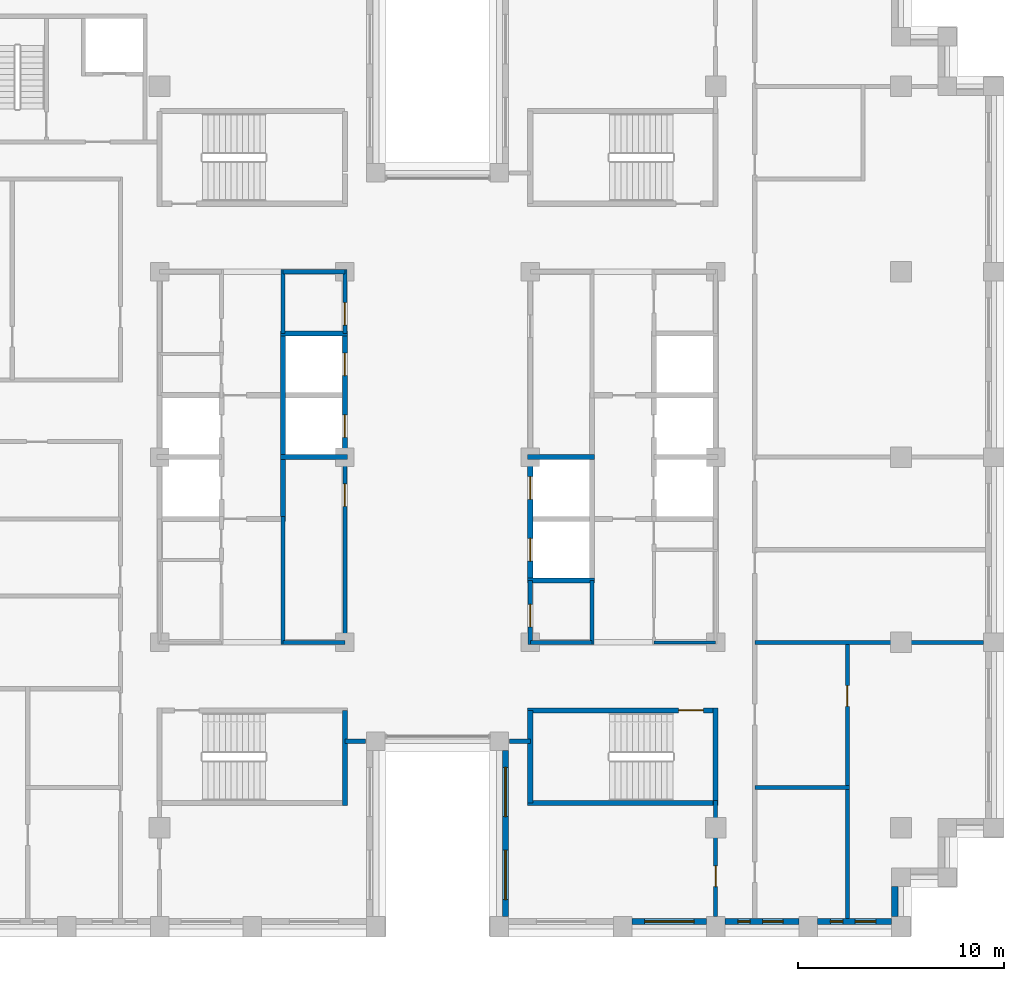
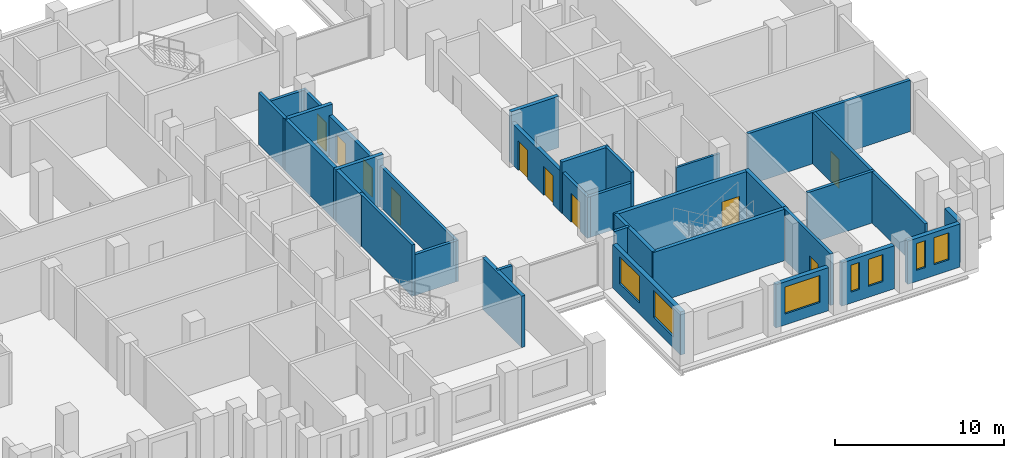
# One storey, part 8 of 15: 33 walls, 10 doors, 7 windows, 17 openings.
"""IFC4 building model written with IfcOpenShell, lengths in metres."""

from ifc_helpers import new_model, si_unit, direction, frame, frame_2d, origin, place, context, subcontext, project, spatial, rectangle, extrude, material, layer, layer_set, type_object, element, fill, save


model = new_model("IFC4")

# Units and contexts
model_context = context("Model", 3, precision=1e-05, world=origin(), true_north=direction((0.0, 1.0)))
body_context = subcontext(model_context, "Body", "Model", "MODEL_VIEW")
ifc_project = project(units=[si_unit("LENGTHUNIT", "METRE"), si_unit("AREAUNIT", "SQUARE_METRE"), si_unit("VOLUMEUNIT", "CUBIC_METRE"), si_unit("PLANEANGLEUNIT", "RADIAN"), si_unit("MASSUNIT", "GRAM", prefix="KILO")], contexts=[model_context])

# Site, building, storey
site_placement = place(None, origin())
site = spatial("IfcSite", under=ifc_project, at=site_placement, CompositionType="ELEMENT")
building_placement = place(site_placement, origin())
building = spatial("IfcBuilding", under=site, at=building_placement, Name="Corbelhall Arena Tower", CompositionType="ELEMENT")
storey_placement = place(building_placement, frame((0.0, 0.0, 216.0)))
storey = spatial("IfcBuildingStorey", under=building, at=storey_placement, Name="L45", CompositionType="ELEMENT", Elevation=216.0)

# Wall, openings, windows
ifc_material_1 = material(Name="Precast concrete C40/50 with granite facing", Category="masonry")
ifc_layer_1 = layer(ifc_material_1, 0.300048828125)
ifc_layer_set_1 = layer_set([ifc_layer_1], Name="EV-IW1 Infill panel 300")
wall_type_1 = type_object("IfcWallType", Name="EV-IW1 Infill panel 300", PredefinedType="SOLIDWALL", material=ifc_layer_set_1)
wall_1_placement = place(storey_placement, frame((3.300048828125, -14.25, 0.0), z_axis=(0.0, 0.0, 1.0), x_axis=(0.0, -1.0, 0.0)))
wall_1 = element("IfcWall", 1, at=wall_1_placement, inside=storey, type_object=wall_type_1, Name="Infill panel IW1", PredefinedType="SOLIDWALL", context=body_context, shape_type="SweptSolid", body=[
    extrude(rectangle(XDim=8.050048828125, YDim=0.300048828125, at=frame_2d((4.02490234375, 0.0))), origin(), (0.0, 0.0, 1.0), 3.1201171875),
])
opening_1_placement = place(wall_1_placement, frame((0.8125, 0.0, 0.800048828125)))
opening_1 = element("IfcOpeningElement", 2, at=opening_1_placement, cuts=wall_1, Name="Opening WN1", PredefinedType="OPENING", context=body_context, shape_type="SweptSolid", body=[
    extrude(rectangle(XDim=2.39990234375, YDim=1.949951171875, at=frame_2d((1.199951171875, 0.97509765625))), frame((0.0, 0.14990234375, 0.0), z_axis=(0.0, -1.0, 0.0), x_axis=(1.0, 0.0, 0.0)), (0.0, 0.0, 1.0), 0.300048828125),
])
opening_2_placement = place(wall_1_placement, frame((4.83740234375, 0.0, 0.800048828125)))
opening_2 = element("IfcOpeningElement", 3, at=opening_2_placement, cuts=wall_1, Name="Opening WN1", PredefinedType="OPENING", context=body_context, shape_type="SweptSolid", body=[
    extrude(rectangle(XDim=2.39990234375, YDim=1.949951171875, at=frame_2d((1.199951171875, 0.97509765625))), frame((0.0, 0.14990234375, 0.0), z_axis=(0.0, -1.0, 0.0), x_axis=(1.0, 0.0, 0.0)), (0.0, 0.0, 1.0), 0.300048828125),
])
ifc_material_2 = material(Name="Aluminium black anodised", Category="aluminium")
window_type_1 = type_object("IfcWindowType", Name="EV-WN1 Office window", PartitioningType="SINGLE_PANEL", PredefinedType="WINDOW", material=ifc_material_2)
window_1_placement = place(opening_1_placement, origin())
window_1 = element("IfcWindow", 4, at=window_1_placement, inside=storey, type_object=window_type_1, Name="Window WN1", OverallHeight=1.949951171875, OverallWidth=2.39990234375, PartitioningType="SINGLE_PANEL", PredefinedType="WINDOW", context=body_context, shape_type="SweptSolid", body=[
    extrude(rectangle(XDim=2.39990234375, YDim=1.949951171875, at=frame_2d((1.199951171875, 0.97509765625))), frame((0.0, 0.030029296875, 0.0), z_axis=(0.0, -1.0, 0.0), x_axis=(1.0, 0.0, 0.0)), (0.0, 0.0, 1.0), 0.06005859375),
])
fill(opening_1, window_1)
window_2_placement = place(opening_2_placement, origin())
window_2 = element("IfcWindow", 5, at=window_2_placement, inside=storey, type_object=window_type_1, Name="Window WN1", OverallHeight=1.949951171875, OverallWidth=2.39990234375, PartitioningType="SINGLE_PANEL", PredefinedType="WINDOW", context=body_context, shape_type="SweptSolid", body=[
    extrude(rectangle(XDim=2.39990234375, YDim=1.949951171875, at=frame_2d((1.199951171875, 0.97509765625))), frame((0.0, 0.030029296875, 0.0), z_axis=(0.0, -1.0, 0.0), x_axis=(1.0, 0.0, 0.0)), (0.0, 0.0, 1.0), 0.06005859375),
])
fill(opening_2, window_2)

# Wall, opening, window
wall_2_placement = place(storey_placement, frame((9.449951171875, -22.550048828125, 0.0), z_axis=(0.0, 0.0, 1.0), x_axis=(1.0, 0.0, 0.0)))
wall_2 = element("IfcWall", 6, at=wall_2_placement, inside=storey, type_object=wall_type_1, Name="Infill panel IW1", PredefinedType="SOLIDWALL", context=body_context, shape_type="SweptSolid", body=[
    extrude(rectangle(XDim=3.60009765625, YDim=0.300048828125, at=frame_2d((1.800048828125, 0.0))), origin(), (0.0, 0.0, 1.0), 3.1201171875),
])
opening_3_placement = place(wall_2_placement, frame((0.60009765625, 0.0, 0.800048828125)))
opening_3 = element("IfcOpeningElement", 7, at=opening_3_placement, cuts=wall_2, Name="Opening WN1", PredefinedType="OPENING", context=body_context, shape_type="SweptSolid", body=[
    extrude(rectangle(XDim=2.39990234375, YDim=1.949951171875, at=frame_2d((1.199951171875, 0.97509765625))), frame((0.0, 0.14990234375, 0.0), z_axis=(0.0, -1.0, 0.0), x_axis=(1.0, 0.0, 0.0)), (0.0, 0.0, 1.0), 0.300048828125),
])
window_3_placement = place(opening_3_placement, origin())
window_3 = element("IfcWindow", 8, at=window_3_placement, inside=storey, type_object=window_type_1, Name="Window WN1", OverallHeight=1.949951171875, OverallWidth=2.39990234375, PartitioningType="SINGLE_PANEL", PredefinedType="WINDOW", context=body_context, shape_type="SweptSolid", body=[
    extrude(rectangle(XDim=2.39990234375, YDim=1.949951171875, at=frame_2d((1.199951171875, 0.97509765625))), frame((0.0, 0.030029296875, 0.0), z_axis=(0.0, -1.0, 0.0), x_axis=(1.0, 0.0, 0.0)), (0.0, 0.0, 1.0), 0.06005859375),
])
fill(opening_3, window_3)

# Wall, openings, windows
wall_3_placement = place(storey_placement, frame((13.949951171875, -22.550048828125, 0.0), z_axis=(0.0, 0.0, 1.0), x_axis=(1.0, 0.0, 0.0)))
wall_3 = element("IfcWall", 9, at=wall_3_placement, inside=storey, type_object=wall_type_1, Name="Infill panel IW1", PredefinedType="SOLIDWALL", context=body_context, shape_type="SweptSolid", body=[
    extrude(rectangle(XDim=3.60009765625, YDim=0.300048828125, at=frame_2d((1.800048828125, 0.0))), origin(), (0.0, 0.0, 1.0), 3.1201171875),
])
opening_4_placement = place(wall_3_placement, frame((0.625, 0.0, 0.800048828125)))
opening_4 = element("IfcOpeningElement", 10, at=opening_4_placement, cuts=wall_3, Name="Opening WN5", PredefinedType="OPENING", context=body_context, shape_type="SweptSolid", body=[
    extrude(rectangle(XDim=0.60009765625, YDim=1.949951171875, at=frame_2d((0.300048828125, 0.97509765625))), frame((0.0, 0.14990234375, 0.0), z_axis=(0.0, -1.0, 0.0), x_axis=(1.0, 0.0, 0.0)), (0.0, 0.0, 1.0), 0.300048828125),
])
opening_5_placement = place(wall_3_placement, frame((1.824951171875, 0.0, 0.800048828125)))
opening_5 = element("IfcOpeningElement", 11, at=opening_5_placement, cuts=wall_3, Name="Opening WN6", PredefinedType="OPENING", context=body_context, shape_type="SweptSolid", body=[
    extrude(rectangle(XDim=1.0, YDim=1.949951171875, at=frame_2d((0.5, 0.97509765625))), frame((0.0, 0.14990234375, 0.0), z_axis=(0.0, -1.0, 0.0), x_axis=(1.0, 0.0, 0.0)), (0.0, 0.0, 1.0), 0.300048828125),
])
window_type_2 = type_object("IfcWindowType", Name="EV-WN5 Office window 600", PartitioningType="SINGLE_PANEL", PredefinedType="WINDOW", material=ifc_material_2)
window_4_placement = place(opening_4_placement, origin())
window_4 = element("IfcWindow", 12, at=window_4_placement, inside=storey, type_object=window_type_2, Name="Window WN5", OverallHeight=1.949951171875, OverallWidth=0.60009765625, PartitioningType="SINGLE_PANEL", PredefinedType="WINDOW", context=body_context, shape_type="SweptSolid", body=[
    extrude(rectangle(XDim=0.60009765625, YDim=1.949951171875, at=frame_2d((0.300048828125, 0.97509765625))), frame((0.0, 0.030029296875, 0.0), z_axis=(0.0, -1.0, 0.0), x_axis=(1.0, 0.0, 0.0)), (0.0, 0.0, 1.0), 0.06005859375),
])
fill(opening_4, window_4)
window_type_3 = type_object("IfcWindowType", Name="EV-WN6 Office window 1000", PartitioningType="SINGLE_PANEL", PredefinedType="WINDOW", material=ifc_material_2)
window_5_placement = place(opening_5_placement, origin())
window_5 = element("IfcWindow", 13, at=window_5_placement, inside=storey, type_object=window_type_3, Name="Window WN6", OverallHeight=1.949951171875, OverallWidth=1.0, PartitioningType="SINGLE_PANEL", PredefinedType="WINDOW", context=body_context, shape_type="SweptSolid", body=[
    extrude(rectangle(XDim=1.0, YDim=1.949951171875, at=frame_2d((0.5, 0.97509765625))), frame((0.0, 0.030029296875, 0.0), z_axis=(0.0, -1.0, 0.0), x_axis=(1.0, 0.0, 0.0)), (0.0, 0.0, 1.0), 0.06005859375),
])
fill(opening_5, window_5)

wall_4_placement = place(storey_placement, frame((18.449951171875, -22.550048828125, 0.0), z_axis=(0.0, 0.0, 1.0), x_axis=(1.0, 0.0, 0.0)))
wall_4 = element("IfcWall", 14, at=wall_4_placement, inside=storey, type_object=wall_type_1, Name="Infill panel IW1", PredefinedType="SOLIDWALL", context=body_context, shape_type="SweptSolid", body=[
    extrude(rectangle(XDim=3.60009765625, YDim=0.300048828125, at=frame_2d((1.800048828125, 0.0))), origin(), (0.0, 0.0, 1.0), 3.1201171875),
])
opening_6_placement = place(wall_4_placement, frame((0.625, 0.0, 0.800048828125)))
opening_6 = element("IfcOpeningElement", 15, at=opening_6_placement, cuts=wall_4, Name="Opening WN5", PredefinedType="OPENING", context=body_context, shape_type="SweptSolid", body=[
    extrude(rectangle(XDim=0.60009765625, YDim=1.949951171875, at=frame_2d((0.300048828125, 0.97509765625))), frame((0.0, 0.14990234375, 0.0), z_axis=(0.0, -1.0, 0.0), x_axis=(1.0, 0.0, 0.0)), (0.0, 0.0, 1.0), 0.300048828125),
])
opening_7_placement = place(wall_4_placement, frame((1.824951171875, 0.0, 0.800048828125)))
opening_7 = element("IfcOpeningElement", 16, at=opening_7_placement, cuts=wall_4, Name="Opening WN6", PredefinedType="OPENING", context=body_context, shape_type="SweptSolid", body=[
    extrude(rectangle(XDim=1.0, YDim=1.949951171875, at=frame_2d((0.5, 0.97509765625))), frame((0.0, 0.14990234375, 0.0), z_axis=(0.0, -1.0, 0.0), x_axis=(1.0, 0.0, 0.0)), (0.0, 0.0, 1.0), 0.300048828125),
])
window_6_placement = place(opening_6_placement, origin())
window_6 = element("IfcWindow", 17, at=window_6_placement, inside=storey, type_object=window_type_2, Name="Window WN5", OverallHeight=1.949951171875, OverallWidth=0.60009765625, PartitioningType="SINGLE_PANEL", PredefinedType="WINDOW", context=body_context, shape_type="SweptSolid", body=[
    extrude(rectangle(XDim=0.60009765625, YDim=1.949951171875, at=frame_2d((0.300048828125, 0.97509765625))), frame((0.0, 0.030029296875, 0.0), z_axis=(0.0, -1.0, 0.0), x_axis=(1.0, 0.0, 0.0)), (0.0, 0.0, 1.0), 0.06005859375),
])
fill(opening_6, window_6)
window_7_placement = place(opening_7_placement, origin())
window_7 = element("IfcWindow", 18, at=window_7_placement, inside=storey, type_object=window_type_3, Name="Window WN6", OverallHeight=1.949951171875, OverallWidth=1.0, PartitioningType="SINGLE_PANEL", PredefinedType="WINDOW", context=body_context, shape_type="SweptSolid", body=[
    extrude(rectangle(XDim=1.0, YDim=1.949951171875, at=frame_2d((0.5, 0.97509765625))), frame((0.0, 0.030029296875, 0.0), z_axis=(0.0, -1.0, 0.0), x_axis=(1.0, 0.0, 0.0)), (0.0, 0.0, 1.0), 0.06005859375),
])
fill(opening_7, window_7)

# Walls
wall_5_placement = place(storey_placement, frame((22.199951171875, -22.300048828125, 0.0), z_axis=(0.0, 0.0, 1.0), x_axis=(0.0, 1.0, 0.0)))
element("IfcWall", 19, at=wall_5_placement, inside=storey, type_object=wall_type_1, Name="Infill panel IW1", PredefinedType="SOLIDWALL", context=body_context, shape_type="SweptSolid", body=[
    extrude(rectangle(XDim=1.449951171875, YDim=0.300048828125, at=frame_2d((0.72509765625, 0.0))), origin(), (0.0, 0.0, 1.0), 3.1201171875),
])
ifc_material_3 = material(Name="Gypsum board on steel stud, acoustic", Category="steel")
ifc_layer_2 = layer(ifc_material_3, 0.199951171875)
ifc_layer_set_2 = layer_set([ifc_layer_2], Name="IN-W-DM200")
wall_type_2 = type_object("IfcWallType", Name="IN-W-DM200", PredefinedType="PARTITIONING", material=ifc_layer_set_2)
for number, where, z_axis, x_axis, name in (
    (20, (-3.5, -13.800048828125, 0.0), (0.0, 0.0, 1.0), (-1.0, 0.0, 0.0), "Partition 020"),
    (21, (4.5, -13.800048828125, 0.0), (0.0, 0.0, 1.0), (-1.0, 0.0, 0.0), "Partition 022"),
):
    element("IfcWall", number, at=place(storey_placement, frame(where, z_axis=z_axis, x_axis=x_axis)), inside=storey, type_object=wall_type_2, Name=name, PredefinedType="PARTITIONING", context=body_context, shape_type="SweptSolid", body=[
        extrude(rectangle(XDim=1.0, YDim=0.199951171875, at=frame_2d((0.5, 0.0))), origin(), (0.0, 0.0, 1.0), 3.719970703125),
    ])

# Wall, opening, door
wall_6_placement = place(storey_placement, frame((13.5, -22.300048828125, 0.0), z_axis=(0.0, 0.0, 1.0), x_axis=(0.0, 1.0, 0.0)))
wall_6 = element("IfcWall", 22, at=wall_6_placement, inside=storey, type_object=wall_type_2, Name="Partition 023", PredefinedType="PARTITIONING", context=body_context, shape_type="SweptSolid", body=[
    extrude(rectangle(XDim=5.625, YDim=0.199951171875, at=frame_2d((2.8125, 0.0))), origin(), (0.0, 0.0, 1.0), 3.719970703125),
])
opening_8_placement = place(wall_6_placement, frame((1.449951171875, 0.0, 0.0)))
opening_8 = element("IfcOpeningElement", 23, at=opening_8_placement, cuts=wall_6, Name="Opening 13023", PredefinedType="OPENING", context=body_context, shape_type="SweptSolid", body=[
    extrude(rectangle(XDim=1.0, YDim=2.10009765625, at=frame_2d((0.5, 1.050048828125))), frame((0.0, 0.10009765625, 0.0), z_axis=(0.0, -1.0, 0.0), x_axis=(1.0, 0.0, 0.0)), (0.0, 0.0, 1.0), 0.199951171875),
])
ifc_material_4 = material(Name="Steel door set", Category="steel")
door_type_1 = type_object("IfcDoorType", Name="IN-D-SW100", OperationType="NOTDEFINED", PredefinedType="DOOR", material=ifc_material_4)
door_1_placement = place(opening_8_placement, origin())
door_1 = element("IfcDoor", 24, at=door_1_placement, inside=storey, type_object=door_type_1, Name="Door 023", OperationType="SINGLE_SWING_RIGHT", OverallHeight=2.10009765625, OverallWidth=1.0, PredefinedType="DOOR", context=body_context, shape_type="SweptSolid", body=[
    extrude(rectangle(XDim=1.0, YDim=2.10009765625, at=frame_2d((0.5, 1.050048828125))), frame((0.0, 0.02490234375, 0.0), z_axis=(0.0, -1.0, 0.0), x_axis=(1.0, 0.0, 0.0)), (0.0, 0.0, 1.0), 0.050048828125),
])
fill(opening_8, door_1)

# Walls
wall_7_placement = place(storey_placement, frame((15.39990234375, -16.050048828125, 0.0), z_axis=(0.0, 0.0, 1.0), x_axis=(1.0, 0.0, 0.0)))
element("IfcWall", 25, at=wall_7_placement, inside=storey, type_object=wall_type_2, Name="Partition 025", PredefinedType="PARTITIONING", context=body_context, shape_type="SweptSolid", body=[
    extrude(rectangle(XDim=4.60009765625, YDim=0.199951171875, at=frame_2d((2.300048828125, 0.0))), origin(), (0.0, 0.0, 1.0), 3.719970703125),
])
wall_8_placement = place(storey_placement, frame((15.39990234375, -9.0, 0.0), z_axis=(0.0, 0.0, 1.0), x_axis=(1.0, 0.0, 0.0)))
element("IfcWall", 26, at=wall_8_placement, inside=storey, type_object=wall_type_2, Name="Partition 027", PredefinedType="PARTITIONING", context=body_context, shape_type="SweptSolid", body=[
    extrude(rectangle(XDim=11.10009765625, YDim=0.199951171875, at=frame_2d((5.550048828125, 0.0))), origin(), (0.0, 0.0, 1.0), 3.719970703125),
])

# Wall, opening, door
wall_9_placement = place(storey_placement, frame((19.89990234375, -8.89990234375, 0.0), z_axis=(0.0, 0.0, 1.0), x_axis=(0.0, -1.0, 0.0)))
wall_9 = element("IfcWall", 27, at=wall_9_placement, inside=storey, type_object=wall_type_2, Name="Partition 031", PredefinedType="PARTITIONING", context=body_context, shape_type="SweptSolid", body=[
    extrude(rectangle(XDim=13.5, YDim=0.199951171875, at=frame_2d((6.75, 0.0))), origin(), (0.0, 0.0, 1.0), 3.719970703125),
])
opening_9_placement = place(wall_9_placement, frame((2.199951171875, 0.0, 0.0)))
opening_9 = element("IfcOpeningElement", 28, at=opening_9_placement, cuts=wall_9, Name="Opening 13037", PredefinedType="OPENING", context=body_context, shape_type="SweptSolid", body=[
    extrude(rectangle(XDim=1.0, YDim=2.10009765625, at=frame_2d((0.5, 1.050048828125))), frame((0.0, 0.10009765625, 0.0), z_axis=(0.0, -1.0, 0.0), x_axis=(1.0, 0.0, 0.0)), (0.0, 0.0, 1.0), 0.199951171875),
])
door_2_placement = place(opening_9_placement, origin())
door_2 = element("IfcDoor", 29, at=door_2_placement, inside=storey, type_object=door_type_1, Name="Door 037", OperationType="SINGLE_SWING_RIGHT", OverallHeight=2.10009765625, OverallWidth=1.0, PredefinedType="DOOR", context=body_context, shape_type="SweptSolid", body=[
    extrude(rectangle(XDim=1.0, YDim=2.10009765625, at=frame_2d((0.5, 1.050048828125))), frame((0.0, 0.02490234375, 0.0), z_axis=(0.0, -1.0, 0.0), x_axis=(1.0, 0.0, 0.0)), (0.0, 0.0, 1.0), 0.050048828125),
])
fill(opening_9, door_2)

# Walls
ifc_material_5 = material(Name="Concrete block wall", Category="concrete")
ifc_layer_3 = layer(ifc_material_5, 0.199951171875)
ifc_layer_set_3 = layer_set([ifc_layer_3], Name="IN-W-RS200")
wall_type_3 = type_object("IfcWallType", Name="IN-W-RS200", PredefinedType="SOLIDWALL", material=ifc_layer_set_3)
wall_10_placement = place(storey_placement, frame((-7.5, -9.10009765625, 0.0), z_axis=(0.0, 0.0, 1.0), x_axis=(0.0, 1.0, 0.0)))
element("IfcWall", 30, at=wall_10_placement, inside=storey, type_object=wall_type_3, Name="Partition 039", PredefinedType="SOLIDWALL", context=body_context, shape_type="SweptSolid", body=[
    extrude(rectangle(XDim=6.22509765625, YDim=0.199951171875, at=frame_2d((3.112548828125, 0.0))), origin(), (0.0, 0.0, 1.0), 3.719970703125),
])
for number, where, z_axis, x_axis, name in (
    (31, (-7.5, 6.0, 0.0), (0.0, 0.0, 1.0), (0.0, 1.0, 0.0), "Partition 040"),
    (32, (7.5, -6.0, 0.0), (0.0, 0.0, 1.0), (0.0, -1.0, 0.0), "Partition 049"),
):
    element("IfcWall", number, at=place(storey_placement, frame(where, z_axis=z_axis, x_axis=x_axis)), inside=storey, type_object=wall_type_3, Name=name, PredefinedType="SOLIDWALL", context=body_context, shape_type="SweptSolid", body=[
        extrude(rectangle(XDim=3.10009765625, YDim=0.199951171875, at=frame_2d((1.550048828125, 0.0))), origin(), (0.0, 0.0, 1.0), 3.719970703125),
    ])
ifc_layer_4 = layer(ifc_material_5, 0.199951171875)
ifc_layer_set_4 = layer_set([ifc_layer_4], Name="IN-W-RS200 under beam 762 mm")
wall_type_4 = type_object("IfcWallType", Name="IN-W-RS200 under beam 762 mm", PredefinedType="SOLIDWALL", material=ifc_layer_set_4)
for number, where, z_axis, x_axis, name in (
    (33, (-7.5, 9.0, 0.0), (0.0, 0.0, 1.0), (1.0, 0.0, 0.0), "Partition 041"),
    (34, (-4.5, -9.0, 0.0), (0.0, 0.0, 1.0), (-1.0, 0.0, 0.0), "Partition 042"),
):
    element("IfcWall", number, at=place(storey_placement, frame(where, z_axis=z_axis, x_axis=x_axis)), inside=storey, type_object=wall_type_4, Name=name, PredefinedType="SOLIDWALL", context=body_context, shape_type="SweptSolid", body=[
        extrude(rectangle(XDim=3.0, YDim=0.199951171875, at=frame_2d((1.5, 0.0))), origin(), (0.0, 0.0, 1.0), 2.9580078125),
    ])

# Wall, opening, door
wall_11_placement = place(storey_placement, frame((-4.5, 0.0, 0.0), z_axis=(0.0, 0.0, 1.0), x_axis=(0.0, -1.0, 0.0)))
wall_11 = element("IfcWall", 35, at=wall_11_placement, inside=storey, type_object=wall_type_4, Name="Partition 043", PredefinedType="SOLIDWALL", context=body_context, shape_type="SweptSolid", body=[
    extrude(rectangle(XDim=9.10009765625, YDim=0.199951171875, at=frame_2d((4.550048828125, 0.0))), origin(), (0.0, 0.0, 1.0), 2.9580078125),
])
opening_10_placement = place(wall_11_placement, frame((1.300048828125, 0.0, 0.0)))
opening_10 = element("IfcOpeningElement", 36, at=opening_10_placement, cuts=wall_11, Name="Opening 13001", PredefinedType="OPENING", context=body_context, shape_type="SweptSolid", body=[
    extrude(rectangle(XDim=1.10009765625, YDim=2.10009765625, at=frame_2d((0.550048828125, 1.050048828125))), frame((0.0, 0.10009765625, 0.0), z_axis=(0.0, -1.0, 0.0), x_axis=(1.0, 0.0, 0.0)), (0.0, 0.0, 1.0), 0.199951171875),
])
door_type_2 = type_object("IfcDoorType", Name="IN-D-FD110", OperationType="NOTDEFINED", PredefinedType="DOOR", material=ifc_material_4)
door_3_placement = place(opening_10_placement, origin())
door_3 = element("IfcDoor", 37, at=door_3_placement, inside=storey, type_object=door_type_2, Name="Door 001", OperationType="SINGLE_SWING_RIGHT", OverallHeight=2.10009765625, OverallWidth=1.10009765625, PredefinedType="DOOR", context=body_context, shape_type="SweptSolid", body=[
    extrude(rectangle(XDim=1.10009765625, YDim=2.10009765625, at=frame_2d((0.550048828125, 1.050048828125))), frame((0.0, 0.02490234375, 0.0), z_axis=(0.0, -1.0, 0.0), x_axis=(1.0, 0.0, 0.0)), (0.0, 0.0, 1.0), 0.050048828125),
])
fill(opening_10, door_3)

wall_12_placement = place(storey_placement, frame((-4.5, 9.10009765625, 0.0), z_axis=(0.0, 0.0, 1.0), x_axis=(0.0, -1.0, 0.0)))
wall_12 = element("IfcWall", 38, at=wall_12_placement, inside=storey, type_object=wall_type_4, Name="Partition 044", PredefinedType="SOLIDWALL", context=body_context, shape_type="SweptSolid", body=[
    extrude(rectangle(XDim=3.10009765625, YDim=0.199951171875, at=frame_2d((1.550048828125, 0.0))), origin(), (0.0, 0.0, 1.0), 2.9580078125),
])
opening_11_placement = place(wall_12_placement, frame((1.60009765625, 0.0, 0.0)))
opening_11 = element("IfcOpeningElement", 39, at=opening_11_placement, cuts=wall_12, Name="Opening 13002", PredefinedType="OPENING", context=body_context, shape_type="SweptSolid", body=[
    extrude(rectangle(XDim=1.10009765625, YDim=2.10009765625, at=frame_2d((0.550048828125, 1.050048828125))), frame((0.0, 0.10009765625, 0.0), z_axis=(0.0, -1.0, 0.0), x_axis=(1.0, 0.0, 0.0)), (0.0, 0.0, 1.0), 0.199951171875),
])
door_4_placement = place(opening_11_placement, origin())
door_4 = element("IfcDoor", 40, at=door_4_placement, inside=storey, type_object=door_type_2, Name="Door 002", OperationType="SINGLE_SWING_LEFT", OverallHeight=2.10009765625, OverallWidth=1.10009765625, PredefinedType="DOOR", context=body_context, shape_type="SweptSolid", body=[
    extrude(rectangle(XDim=1.10009765625, YDim=2.10009765625, at=frame_2d((0.550048828125, 1.050048828125))), frame((0.0, 0.02490234375, 0.0), z_axis=(0.0, -1.0, 0.0), x_axis=(1.0, 0.0, 0.0)), (0.0, 0.0, 1.0), 0.050048828125),
])
fill(opening_11, door_4)

wall_13_placement = place(storey_placement, frame((4.5, -9.10009765625, 0.0), z_axis=(0.0, 0.0, 1.0), x_axis=(0.0, 1.0, 0.0)))
wall_13 = element("IfcWall", 41, at=wall_13_placement, inside=storey, type_object=wall_type_4, Name="Partition 045", PredefinedType="SOLIDWALL", context=body_context, shape_type="SweptSolid", body=[
    extrude(rectangle(XDim=3.10009765625, YDim=0.199951171875, at=frame_2d((1.550048828125, 0.0))), origin(), (0.0, 0.0, 1.0), 2.9580078125),
])
opening_12_placement = place(wall_13_placement, frame((0.85009765625, 0.0, 0.0)))
opening_12 = element("IfcOpeningElement", 42, at=opening_12_placement, cuts=wall_13, Name="Opening 13008", PredefinedType="OPENING", context=body_context, shape_type="SweptSolid", body=[
    extrude(rectangle(XDim=1.10009765625, YDim=2.10009765625, at=frame_2d((0.550048828125, 1.050048828125))), frame((0.0, 0.10009765625, 0.0), z_axis=(0.0, -1.0, 0.0), x_axis=(1.0, 0.0, 0.0)), (0.0, 0.0, 1.0), 0.199951171875),
])
door_5_placement = place(opening_12_placement, origin())
door_5 = element("IfcDoor", 43, at=door_5_placement, inside=storey, type_object=door_type_2, Name="Door 008", OperationType="SINGLE_SWING_LEFT", OverallHeight=2.10009765625, OverallWidth=1.10009765625, PredefinedType="DOOR", context=body_context, shape_type="SweptSolid", body=[
    extrude(rectangle(XDim=1.10009765625, YDim=2.10009765625, at=frame_2d((0.550048828125, 1.050048828125))), frame((0.0, 0.02490234375, 0.0), z_axis=(0.0, -1.0, 0.0), x_axis=(1.0, 0.0, 0.0)), (0.0, 0.0, 1.0), 0.050048828125),
])
fill(opening_12, door_5)

# Walls
wall_14_placement = place(storey_placement, frame((7.5, -9.0, 0.0), z_axis=(0.0, 0.0, 1.0), x_axis=(-1.0, 0.0, 0.0)))
element("IfcWall", 44, at=wall_14_placement, inside=storey, type_object=wall_type_4, Name="Partition 048", PredefinedType="SOLIDWALL", context=body_context, shape_type="SweptSolid", body=[
    extrude(rectangle(XDim=3.0, YDim=0.199951171875, at=frame_2d((1.5, 0.0))), origin(), (0.0, 0.0, 1.0), 2.9580078125),
])
ifc_material_6 = material(Name="Concrete C40/50", Category="concrete")
ifc_layer_5 = layer(ifc_material_6, 0.25)
ifc_layer_set_5 = layer_set([ifc_layer_5], Name="IN-W-SH250")
wall_type_5 = type_object("IfcWallType", Name="IN-W-SH250", PredefinedType="SOLIDWALL", material=ifc_layer_set_5)
for number, where, z_axis, x_axis, name in (
    (45, (-7.625, 0.0, 0.0), (0.0, 0.0, 1.0), (1.0, 0.0, 0.0), "Shaft wall 061"),
    (46, (-7.625, 6.0, 0.0), (0.0, 0.0, 1.0), (1.0, 0.0, 0.0), "Shaft wall 062"),
):
    element("IfcWall", number, at=place(storey_placement, frame(where, z_axis=z_axis, x_axis=x_axis)), inside=storey, type_object=wall_type_5, Name=name, PredefinedType="SOLIDWALL", context=body_context, shape_type="SweptSolid", body=[
        extrude(rectangle(XDim=3.25, YDim=0.25, at=frame_2d((1.625, 0.0))), origin(), (0.0, 0.0, 1.0), 3.719970703125),
    ])
wall_15_placement = place(storey_placement, frame((-7.5, -3.125, 0.0), z_axis=(0.0, 0.0, 1.0), x_axis=(0.0, 1.0, 0.0)))
element("IfcWall", 47, at=wall_15_placement, inside=storey, type_object=wall_type_5, Name="Shaft wall 063", PredefinedType="SOLIDWALL", context=body_context, shape_type="SweptSolid", body=[
    extrude(rectangle(XDim=9.125, YDim=0.25, at=frame_2d((4.5625, 0.0))), origin(), (0.0, 0.0, 1.0), 3.719970703125),
])
for number, where, z_axis, x_axis, name in (
    (48, (4.375, -6.0, 0.0), (0.0, 0.0, 1.0), (1.0, 0.0, 0.0), "Shaft wall 065"),
    (49, (4.375, 0.0, 0.0), (0.0, 0.0, 1.0), (1.0, 0.0, 0.0), "Shaft wall 067"),
):
    element("IfcWall", number, at=place(storey_placement, frame(where, z_axis=z_axis, x_axis=x_axis)), inside=storey, type_object=wall_type_5, Name=name, PredefinedType="SOLIDWALL", context=body_context, shape_type="SweptSolid", body=[
        extrude(rectangle(XDim=3.25, YDim=0.25, at=frame_2d((1.625, 0.0))), origin(), (0.0, 0.0, 1.0), 3.719970703125),
    ])

# Wall, openings, doors
ifc_layer_6 = layer(ifc_material_6, 0.25)
ifc_layer_set_6 = layer_set([ifc_layer_6], Name="IN-W-SH250 under beam 762 mm")
wall_type_6 = type_object("IfcWallType", Name="IN-W-SH250 under beam 762 mm", PredefinedType="SOLIDWALL", material=ifc_layer_set_6)
wall_16_placement = place(storey_placement, frame((-4.5, 6.0, 0.0), z_axis=(0.0, 0.0, 1.0), x_axis=(0.0, -1.0, 0.0)))
wall_16 = element("IfcWall", 50, at=wall_16_placement, inside=storey, type_object=wall_type_6, Name="Shaft wall 064", PredefinedType="SOLIDWALL", context=body_context, shape_type="SweptSolid", body=[
    extrude(rectangle(XDim=6.0, YDim=0.25, at=frame_2d((3.0, 0.0))), origin(), (0.0, 0.0, 1.0), 2.9580078125),
])
opening_13_placement = place(wall_16_placement, frame((3.949951171875, 0.0, 0.0)))
opening_13 = element("IfcOpeningElement", 51, at=opening_13_placement, cuts=wall_16, Name="Opening LD", PredefinedType="OPENING", context=body_context, shape_type="SweptSolid", body=[
    extrude(rectangle(XDim=1.10009765625, YDim=2.10009765625, at=frame_2d((0.550048828125, 1.050048828125))), frame((0.0, 0.125, 0.0), z_axis=(0.0, -1.0, 0.0), x_axis=(1.0, 0.0, 0.0)), (0.0, 0.0, 1.0), 0.25),
])
opening_14_placement = place(wall_16_placement, frame((0.949951171875, 0.0, 0.0)))
opening_14 = element("IfcOpeningElement", 52, at=opening_14_placement, cuts=wall_16, Name="Opening LD", PredefinedType="OPENING", context=body_context, shape_type="SweptSolid", body=[
    extrude(rectangle(XDim=1.10009765625, YDim=2.10009765625, at=frame_2d((0.550048828125, 1.050048828125))), frame((0.0, 0.125, 0.0), z_axis=(0.0, -1.0, 0.0), x_axis=(1.0, 0.0, 0.0)), (0.0, 0.0, 1.0), 0.25),
])
door_type_3 = type_object("IfcDoorType", Name="IN-D-LD110", OperationType="NOTDEFINED", PredefinedType="DOOR", material=ifc_material_4)
door_6_placement = place(opening_13_placement, origin())
door_6 = element("IfcDoor", 53, at=door_6_placement, inside=storey, type_object=door_type_3, Name="Landing door W4", OperationType="SLIDING_TO_LEFT", OverallHeight=2.10009765625, OverallWidth=1.10009765625, PredefinedType="DOOR", context=body_context, shape_type="SweptSolid", body=[
    extrude(rectangle(XDim=1.10009765625, YDim=2.10009765625, at=frame_2d((0.550048828125, 1.050048828125))), frame((0.0, 0.02490234375, 0.0), z_axis=(0.0, -1.0, 0.0), x_axis=(1.0, 0.0, 0.0)), (0.0, 0.0, 1.0), 0.050048828125),
])
fill(opening_13, door_6)
door_7_placement = place(opening_14_placement, origin())
door_7 = element("IfcDoor", 54, at=door_7_placement, inside=storey, type_object=door_type_3, Name="Landing door W5", OperationType="SLIDING_TO_LEFT", OverallHeight=2.10009765625, OverallWidth=1.10009765625, PredefinedType="DOOR", context=body_context, shape_type="SweptSolid", body=[
    extrude(rectangle(XDim=1.10009765625, YDim=2.10009765625, at=frame_2d((0.550048828125, 1.050048828125))), frame((0.0, 0.02490234375, 0.0), z_axis=(0.0, -1.0, 0.0), x_axis=(1.0, 0.0, 0.0)), (0.0, 0.0, 1.0), 0.050048828125),
])
fill(opening_14, door_7)

wall_17_placement = place(storey_placement, frame((4.5, -6.0, 0.0), z_axis=(0.0, 0.0, 1.0), x_axis=(0.0, 1.0, 0.0)))
wall_17 = element("IfcWall", 55, at=wall_17_placement, inside=storey, type_object=wall_type_6, Name="Shaft wall 068", PredefinedType="SOLIDWALL", context=body_context, shape_type="SweptSolid", body=[
    extrude(rectangle(XDim=6.0, YDim=0.25, at=frame_2d((3.0, 0.0))), origin(), (0.0, 0.0, 1.0), 2.9580078125),
])
opening_15_placement = place(wall_17_placement, frame((0.949951171875, 0.0, 0.0)))
opening_15 = element("IfcOpeningElement", 56, at=opening_15_placement, cuts=wall_17, Name="Opening LD", PredefinedType="OPENING", context=body_context, shape_type="SweptSolid", body=[
    extrude(rectangle(XDim=1.10009765625, YDim=2.10009765625, at=frame_2d((0.550048828125, 1.050048828125))), frame((0.0, 0.125, 0.0), z_axis=(0.0, -1.0, 0.0), x_axis=(1.0, 0.0, 0.0)), (0.0, 0.0, 1.0), 0.25),
])
opening_16_placement = place(wall_17_placement, frame((3.949951171875, 0.0, 0.0)))
opening_16 = element("IfcOpeningElement", 57, at=opening_16_placement, cuts=wall_17, Name="Opening LD", PredefinedType="OPENING", context=body_context, shape_type="SweptSolid", body=[
    extrude(rectangle(XDim=1.10009765625, YDim=2.10009765625, at=frame_2d((0.550048828125, 1.050048828125))), frame((0.0, 0.125, 0.0), z_axis=(0.0, -1.0, 0.0), x_axis=(1.0, 0.0, 0.0)), (0.0, 0.0, 1.0), 0.25),
])
door_8_placement = place(opening_15_placement, origin())
door_8 = element("IfcDoor", 58, at=door_8_placement, inside=storey, type_object=door_type_3, Name="Landing door E2", OperationType="SLIDING_TO_LEFT", OverallHeight=2.10009765625, OverallWidth=1.10009765625, PredefinedType="DOOR", context=body_context, shape_type="SweptSolid", body=[
    extrude(rectangle(XDim=1.10009765625, YDim=2.10009765625, at=frame_2d((0.550048828125, 1.050048828125))), frame((0.0, 0.02490234375, 0.0), z_axis=(0.0, -1.0, 0.0), x_axis=(1.0, 0.0, 0.0)), (0.0, 0.0, 1.0), 0.050048828125),
])
fill(opening_15, door_8)
door_9_placement = place(opening_16_placement, origin())
door_9 = element("IfcDoor", 59, at=door_9_placement, inside=storey, type_object=door_type_3, Name="Landing door E3", OperationType="SLIDING_TO_LEFT", OverallHeight=2.10009765625, OverallWidth=1.10009765625, PredefinedType="DOOR", context=body_context, shape_type="SweptSolid", body=[
    extrude(rectangle(XDim=1.10009765625, YDim=2.10009765625, at=frame_2d((0.550048828125, 1.050048828125))), frame((0.0, 0.02490234375, 0.0), z_axis=(0.0, -1.0, 0.0), x_axis=(1.0, 0.0, 0.0)), (0.0, 0.0, 1.0), 0.050048828125),
])
fill(opening_16, door_9)

# Walls
ifc_layer_7 = layer(ifc_material_6, 0.25)
ifc_layer_set_7 = layer_set([ifc_layer_7], Name="IN-W-ST250")
wall_type_7 = type_object("IfcWallType", Name="IN-W-ST250", PredefinedType="SOLIDWALL", material=ifc_layer_set_7)
wall_18_placement = place(storey_placement, frame((-4.5, -12.300048828125, 0.0), z_axis=(0.0, 0.0, 1.0), x_axis=(0.0, -1.0, 0.0)))
element("IfcWall", 60, at=wall_18_placement, inside=storey, type_object=wall_type_7, Name="Shaft wall 086", PredefinedType="SOLIDWALL", context=body_context, shape_type="SweptSolid", body=[
    extrude(rectangle(XDim=4.625, YDim=0.25, at=frame_2d((2.3125, 0.0))), origin(), (0.0, 0.0, 1.0), 3.719970703125),
])
wall_19_placement = place(storey_placement, frame((4.5, -16.800048828125, 0.0), z_axis=(0.0, 0.0, 1.0), x_axis=(0.0, 1.0, 0.0)))
element("IfcWall", 61, at=wall_19_placement, inside=storey, type_object=wall_type_7, Name="Shaft wall 092", PredefinedType="SOLIDWALL", context=body_context, shape_type="SweptSolid", body=[
    extrude(rectangle(XDim=4.5, YDim=0.25, at=frame_2d((2.25, 0.0))), origin(), (0.0, 0.0, 1.0), 3.719970703125),
])
wall_20_placement = place(storey_placement, frame((13.5, -16.925048828125, 0.0), z_axis=(0.0, 0.0, 1.0), x_axis=(0.0, 1.0, 0.0)))
element("IfcWall", 62, at=wall_20_placement, inside=storey, type_object=wall_type_7, Name="Shaft wall 094", PredefinedType="SOLIDWALL", context=body_context, shape_type="SweptSolid", body=[
    extrude(rectangle(XDim=4.75, YDim=0.25, at=frame_2d((2.375, 0.0))), origin(), (0.0, 0.0, 1.0), 3.719970703125),
])
wall_21_placement = place(storey_placement, frame((13.5, -16.800048828125, 0.0), z_axis=(0.0, 0.0, 1.0), x_axis=(-1.0, 0.0, 0.0)))
element("IfcWall", 63, at=wall_21_placement, inside=storey, type_object=wall_type_7, Name="Shaft wall 095", PredefinedType="SOLIDWALL", context=body_context, shape_type="SweptSolid", body=[
    extrude(rectangle(XDim=9.125, YDim=0.25, at=frame_2d((4.5625, 0.0))), origin(), (0.0, 0.0, 1.0), 3.719970703125),
])

# Wall, opening, door
wall_22_placement = place(storey_placement, frame((13.5, -12.300048828125, 0.0), z_axis=(0.0, 0.0, 1.0), x_axis=(-1.0, 0.0, 0.0)))
wall_22 = element("IfcWall", 64, at=wall_22_placement, inside=storey, type_object=wall_type_7, Name="Shaft wall 096", PredefinedType="SOLIDWALL", context=body_context, shape_type="SweptSolid", body=[
    extrude(rectangle(XDim=9.125, YDim=0.25, at=frame_2d((4.5625, 0.0))), origin(), (0.0, 0.0, 1.0), 3.719970703125),
])
opening_17_placement = place(wall_22_placement, frame((0.60009765625, 0.0, 0.0)))
opening_17 = element("IfcOpeningElement", 65, at=opening_17_placement, cuts=wall_22, Name="Opening 13018", PredefinedType="OPENING", context=body_context, shape_type="SweptSolid", body=[
    extrude(rectangle(XDim=1.199951171875, YDim=2.10009765625, at=frame_2d((0.60009765625, 1.050048828125))), frame((0.0, 0.125, 0.0), z_axis=(0.0, -1.0, 0.0), x_axis=(1.0, 0.0, 0.0)), (0.0, 0.0, 1.0), 0.25),
])
door_type_4 = type_object("IfcDoorType", Name="IN-D-ST120", OperationType="NOTDEFINED", PredefinedType="DOOR", material=ifc_material_4)
door_10_placement = place(opening_17_placement, origin())
door_10 = element("IfcDoor", 66, at=door_10_placement, inside=storey, type_object=door_type_4, Name="Door 018", OperationType="SINGLE_SWING_LEFT", OverallHeight=2.10009765625, OverallWidth=1.199951171875, PredefinedType="DOOR", context=body_context, shape_type="SweptSolid", body=[
    extrude(rectangle(XDim=1.199951171875, YDim=2.10009765625, at=frame_2d((0.60009765625, 1.050048828125))), frame((0.0, 0.02490234375, 0.0), z_axis=(0.0, -1.0, 0.0), x_axis=(1.0, 0.0, 0.0)), (0.0, 0.0, 1.0), 0.050048828125),
])
fill(opening_17, door_10)

# Wall
ifc_material_7 = material(Name="Gypsum board on steel stud, moisture resistant", Category="steel")
ifc_layer_8 = layer(ifc_material_7, 0.14990234375)
ifc_layer_set_8 = layer_set([ifc_layer_8], Name="IN-W-WC150 under beam 762 mm")
wall_type_8 = type_object("IfcWallType", Name="IN-W-WC150 under beam 762 mm", PredefinedType="PARTITIONING", material=ifc_layer_set_8)
wall_23_placement = place(storey_placement, frame((13.5, -9.0, 0.0), z_axis=(0.0, 0.0, 1.0), x_axis=(-1.0, 0.0, 0.0)))
element("IfcWall", 67, at=wall_23_placement, inside=storey, type_object=wall_type_8, Name="Partition 107", PredefinedType="PARTITIONING", context=body_context, shape_type="SweptSolid", body=[
    extrude(rectangle(XDim=3.0, YDim=0.14990234375, at=frame_2d((1.5, 0.0))), origin(), (0.0, 0.0, 1.0), 2.9580078125),
])

save(model, "model.ifc")
